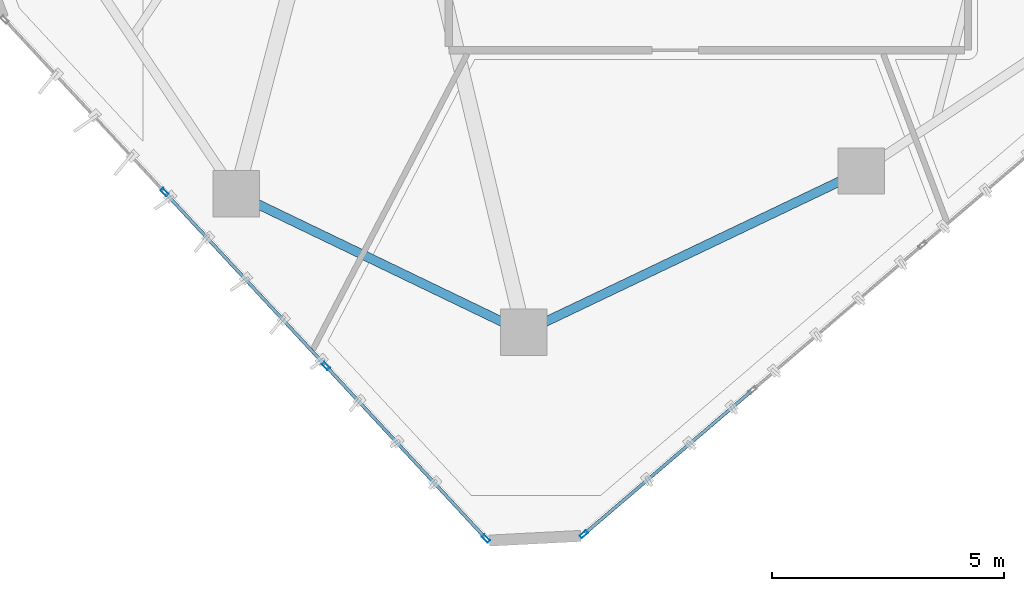
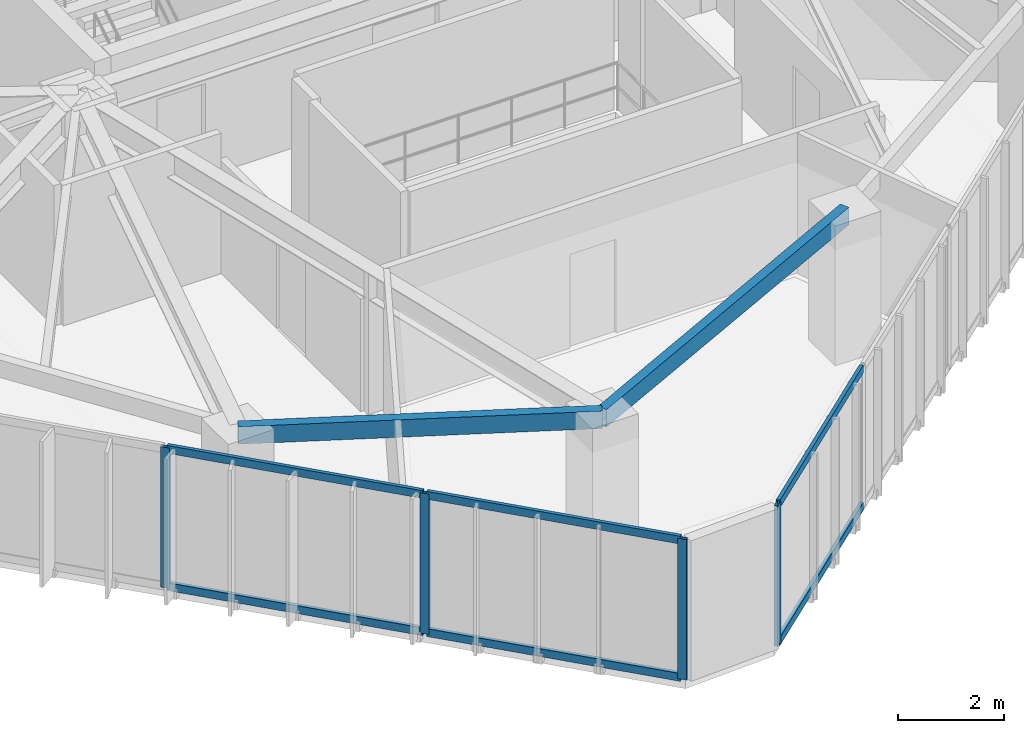
# One storey, part 2 of 20: 10 members, 2 beams, 2 elements without a shape of their own.
"""IFC4 building model written with IfcOpenShell, lengths in metres."""

from ifc_helpers import new_model, si_unit, direction, frame, origin, origin_2d, place, context, subcontext, project, spatial, hollow_rectangle, extrude, source, transform, mapped, material, layer, layer_set, material_profile, profile_set, type_object, type_shapes, element, aggregate, save


model = new_model("IFC4")

# Units and contexts
model_context = context("Model", 3, precision=1e-05, world=origin(), true_north=direction((0.0, 1.0)))
body_context = subcontext(model_context, "Body", "Model", "MODEL_VIEW")
ifc_project = project(units=[si_unit("LENGTHUNIT", "METRE"), si_unit("AREAUNIT", "SQUARE_METRE"), si_unit("VOLUMEUNIT", "CUBIC_METRE"), si_unit("PLANEANGLEUNIT", "RADIAN"), si_unit("MASSUNIT", "GRAM", prefix="KILO")], contexts=[model_context])

# Site, building, storey
site_placement = place(None, origin())
site = spatial("IfcSite", under=ifc_project, at=site_placement, CompositionType="ELEMENT")
building_placement = place(site_placement, origin())
building = spatial("IfcBuilding", under=site, at=building_placement, Name="Talar Marvaseh", CompositionType="ELEMENT")
storey_placement = place(building_placement, frame((0.0, 0.0, 211.699951171875)))
storey = spatial("IfcBuildingStorey", under=building, at=storey_placement, Name="L55", CompositionType="ELEMENT", Elevation=211.699951171875)

# Beams
ifc_material_1 = material(Name="Steel S355", Category="steel")
ifc_material_profile_1 = material_profile(ifc_material_1, hollow_rectangle(XDim=0.199951171875, YDim=0.39990234375, WallThickness=0.013916015625, at=origin_2d()), Name="RHS400x200x14")
ifc_profile_set_1 = profile_set([ifc_material_profile_1], Name="Steel S355")
beam_type = type_object("IfcBeamType", Name="Zone 3 Perimeter Spandrel Beam RHS400x200x14", PredefinedType="SPANDREL", material=ifc_profile_set_1)
beam_1_placement = place(storey_placement, frame((29.299072265625, 14.993896484375, 3.030029296875), z_axis=(-0.902562267408, -0.430559349511, 0.0), x_axis=(0.430559349511, -0.902562267408, 0.0)))
element("IfcBeam", 1, at=beam_1_placement, inside=storey, type_object=beam_type, Name="L55 Zone 3 Perimeter Spandrel Beam RHS400x200x14", PredefinedType="SPANDREL", context=body_context, shape_type="SweptSolid", body=[
    extrude(hollow_rectangle(XDim=0.199951171875, YDim=0.39990234375, WallThickness=0.013916015625, at=origin_2d()), origin(), (0.0, 0.0, 1.0), 8.070556640625),
])
beam_2_placement = place(storey_placement, frame((22.014892578125, 11.51904296875, 3.030029296875), z_axis=(-0.901071562993, 0.433670425975, 0.0), x_axis=(-0.433670425975, -0.901071562993, 0.0)))
element("IfcBeam", 2, at=beam_2_placement, inside=storey, type_object=beam_type, Name="L55 Zone 3 Perimeter Spandrel Beam RHS400x200x14", PredefinedType="SPANDREL", context=body_context, shape_type="SweptSolid", body=[
    extrude(hollow_rectangle(XDim=0.199951171875, YDim=0.39990234375, WallThickness=0.013916015625, at=origin_2d()), origin(), (0.0, 0.0, 1.0), 6.8759765625),
])

# Curtain wall, members
ifc_material_2 = material(Name="Architectural Aluminium", Category="aluminium")
ifc_layer = layer(ifc_material_2, 0.18994140625)
ifc_layer_set = layer_set([ifc_layer], Name="Architectural Aluminium")
curtain_wall_type = type_object("IfcCurtainWallType", Name="Unitised Solar Atelier Curtain Wall Z3", PredefinedType="NOTDEFINED", material=ifc_layer_set)
curtain_wall_1_placement = place(storey_placement, origin())
curtain_wall_1 = element("IfcCurtainWall", 3, at=curtain_wall_1_placement, inside=storey, type_object=curtain_wall_type, Name="L55 Unitised Solar Atelier Curtain Wall Z3", PredefinedType="NOTDEFINED")
ifc_material_profile_2 = material_profile(ifc_material_2, hollow_rectangle(XDim=0.074951171875, YDim=0.179931640625, WallThickness=0.0048828125, at=origin_2d()), Name="RHS180x75x5")
ifc_profile_set_2 = profile_set([ifc_material_profile_2], Name="Architectural Aluminium")
member_type_1 = type_object("IfcMemberType", Name="Unitised Curtain Wall Standard Mullion RHS180x75x5", PredefinedType="MULLION", material=ifc_profile_set_2)
shared_shape_1 = source(origin(), body_context, "Body", "SweptSolid", [
    extrude(hollow_rectangle(XDim=0.074951171875, YDim=0.179931640625, WallThickness=0.0048828125, at=origin_2d()), origin(), (0.0, 0.0, 1.0), 3.22998046875),
])
type_shapes(member_type_1, [shared_shape_1])
member_1_placement = place(storey_placement, frame((21.200927734375, 7.069580078125, 0.0), z_axis=(0.0, 0.0, 1.0), x_axis=(-0.733183227185, -0.680031142944, 0.0)))
member_1 = element("IfcMember", 4, at=member_1_placement, type_object=member_type_1, Name="CW-Z3 mullion 1", PredefinedType="MULLION", context=body_context, shape_type="MappedRepresentation", body=[
    mapped(shared_shape_1, transform((0.0, 0.0, 0.0), x_axis=(1.0, 0.0, 0.0), y_axis=(0.0, 1.0, 0.0), z_axis=(0.0, 0.0, 1.0), scale=1.0)),
])
member_2_placement = place(storey_placement, frame((17.74951171875, 10.791015625, 0.0), z_axis=(0.0, 0.0, 1.0), x_axis=(-0.733183227185, -0.680031142944, 0.0)))
member_2 = element("IfcMember", 5, at=member_2_placement, type_object=member_type_1, Name="CW-Z3 mullion 2", PredefinedType="MULLION", context=body_context, shape_type="MappedRepresentation", body=[
    mapped(shared_shape_1, transform((0.0, 0.0, 0.0), x_axis=(1.0, 0.0, 0.0), y_axis=(0.0, 1.0, 0.0), z_axis=(0.0, 0.0, 1.0), scale=1.0)),
])
member_3_placement = place(storey_placement, frame((14.2724609375, 14.539794921875, 0.0), z_axis=(0.0, 0.0, 1.0), x_axis=(-0.733183227185, -0.680031142944, 0.0)))
member_3 = element("IfcMember", 6, at=member_3_placement, type_object=member_type_1, Name="CW-Z3 mullion 3", PredefinedType="MULLION", context=body_context, shape_type="MappedRepresentation", body=[
    mapped(shared_shape_1, transform((0.0, 0.0, 0.0), x_axis=(1.0, 0.0, 0.0), y_axis=(0.0, 1.0, 0.0), z_axis=(0.0, 0.0, 1.0), scale=1.0)),
])

# Curtain wall, member
curtain_wall_2_placement = place(storey_placement, origin())
curtain_wall_2 = element("IfcCurtainWall", 7, at=curtain_wall_2_placement, inside=storey, type_object=curtain_wall_type, Name="L55 Unitised Solar Atelier Curtain Wall Z3", PredefinedType="NOTDEFINED")
member_4_placement = place(storey_placement, frame((23.313232421875, 7.162841796875, 0.0), z_axis=(0.0, 0.0, 1.0), x_axis=(0.649564719149, -0.760306303826, 0.0)))
member_4 = element("IfcMember", 8, at=member_4_placement, type_object=member_type_1, Name="CW-Z3 mullion 5", PredefinedType="MULLION", context=body_context, shape_type="MappedRepresentation", body=[
    mapped(shared_shape_1, transform((0.0, 0.0, 0.0), x_axis=(1.0, 0.0, 0.0), y_axis=(0.0, 1.0, 0.0), z_axis=(0.0, 0.0, 1.0), scale=1.0)),
])

# Member
ifc_material_profile_3 = material_profile(ifc_material_2, hollow_rectangle(XDim=0.074951171875, YDim=0.179931640625, WallThickness=0.0048828125, at=origin_2d()), Name="RHS180x75x5")
ifc_profile_set_3 = profile_set([ifc_material_profile_3], Name="Architectural Aluminium")
member_type_2 = type_object("IfcMemberType", Name="Unitised Curtain Wall Transom RHS180x75x5", PredefinedType="USERDEFINED", material=ifc_profile_set_3)
shared_shape_2 = source(origin(), body_context, "Body", "SweptSolid", [
    extrude(hollow_rectangle(XDim=0.074951171875, YDim=0.179931640625, WallThickness=0.0048828125, at=origin_2d()), origin(), (0.0, 0.0, 1.0), 5.0380859375),
])
member_5_placement = place(storey_placement, frame((17.723876953125, 10.818359375, 0.03759765625), z_axis=(-0.680027200388, 0.733186883907, 0.0), x_axis=(-0.733186883907, -0.680027200388, 0.0)))
member_5 = element("IfcMember", 9, at=member_5_placement, type_object=member_type_2, Name="CW-Z3 transom 2.1", ObjectType="TRANSOM", PredefinedType="USERDEFINED", context=body_context, shape_type="MappedRepresentation", body=[
    mapped(shared_shape_2, transform((0.0, 0.0, 0.0), x_axis=(1.0, 0.0, 0.0), y_axis=(0.0, 1.0, 0.0), z_axis=(0.0, 0.0, 1.0), scale=1.0)),
])

member_6_placement = place(storey_placement, frame((17.723876953125, 10.818359375, 3.192626953125), z_axis=(-0.680027200388, 0.733186883907, 0.0), x_axis=(-0.733186883907, -0.680027200388, 0.0)))
member_6 = element("IfcMember", 10, at=member_6_placement, type_object=member_type_2, Name="CW-Z3 transom 2.2", ObjectType="TRANSOM", PredefinedType="USERDEFINED", context=body_context, shape_type="MappedRepresentation", body=[
    mapped(shared_shape_2, transform((0.0, 0.0, 0.0), x_axis=(1.0, 0.0, 0.0), y_axis=(0.0, 1.0, 0.0), z_axis=(0.0, 0.0, 1.0), scale=1.0)),
])

shared_shape_3 = source(origin(), body_context, "Body", "SweptSolid", [
    extrude(hollow_rectangle(XDim=0.074951171875, YDim=0.179931640625, WallThickness=0.0048828125, at=origin_2d()), origin(), (0.0, 0.0, 1.0), 5.00048828125),
])
member_7_placement = place(storey_placement, frame((21.17529296875, 7.09716796875, 0.03759765625), z_axis=(-0.680022133308, 0.733191583565, 0.0), x_axis=(-0.733191583565, -0.680022133308, 0.0)))
member_7 = element("IfcMember", 11, at=member_7_placement, type_object=member_type_2, Name="CW-Z3 transom 1.1", ObjectType="TRANSOM", PredefinedType="USERDEFINED", context=body_context, shape_type="MappedRepresentation", body=[
    mapped(shared_shape_3, transform((0.0, 0.0, 0.0), x_axis=(1.0, 0.0, 0.0), y_axis=(0.0, 1.0, 0.0), z_axis=(0.0, 0.0, 1.0), scale=1.0)),
])

member_8_placement = place(storey_placement, frame((21.17529296875, 7.09716796875, 3.192626953125), z_axis=(-0.680022133308, 0.733191583565, 0.0), x_axis=(-0.733191583565, -0.680022133308, 0.0)))
member_8 = element("IfcMember", 12, at=member_8_placement, type_object=member_type_2, Name="CW-Z3 transom 1.2", ObjectType="TRANSOM", PredefinedType="USERDEFINED", context=body_context, shape_type="MappedRepresentation", body=[
    mapped(shared_shape_3, transform((0.0, 0.0, 0.0), x_axis=(1.0, 0.0, 0.0), y_axis=(0.0, 1.0, 0.0), z_axis=(0.0, 0.0, 1.0), scale=1.0)),
])

aggregate(curtain_wall_1, [member_1, member_2, member_3, member_7, member_8, member_5, member_6])

shared_shape_4 = source(origin(), body_context, "Body", "SweptSolid", [
    extrude(hollow_rectangle(XDim=0.074951171875, YDim=0.179931640625, WallThickness=0.0048828125, at=origin_2d()), origin(), (0.0, 0.0, 1.0), 4.709716796875),
])
type_shapes(member_type_2, [shared_shape_2, shared_shape_3, shared_shape_4])
member_9_placement = place(storey_placement, frame((26.92236328125, 10.246337890625, 0.03759765625), z_axis=(-0.760298473161, -0.649573884719, 0.0), x_axis=(0.649573884719, -0.760298473161, 0.0)))
member_9 = element("IfcMember", 13, at=member_9_placement, type_object=member_type_2, Name="CW-Z3 transom 4.1", ObjectType="TRANSOM", PredefinedType="USERDEFINED", context=body_context, shape_type="MappedRepresentation", body=[
    mapped(shared_shape_4, transform((0.0, 0.0, 0.0), x_axis=(1.0, 0.0, 0.0), y_axis=(0.0, 1.0, 0.0), z_axis=(0.0, 0.0, 1.0), scale=1.0)),
])

member_10_placement = place(storey_placement, frame((26.92236328125, 10.246337890625, 3.192626953125), z_axis=(-0.760298473161, -0.649573884719, 0.0), x_axis=(0.649573884719, -0.760298473161, 0.0)))
member_10 = element("IfcMember", 14, at=member_10_placement, type_object=member_type_2, Name="CW-Z3 transom 4.2", ObjectType="TRANSOM", PredefinedType="USERDEFINED", context=body_context, shape_type="MappedRepresentation", body=[
    mapped(shared_shape_4, transform((0.0, 0.0, 0.0), x_axis=(1.0, 0.0, 0.0), y_axis=(0.0, 1.0, 0.0), z_axis=(0.0, 0.0, 1.0), scale=1.0)),
])

aggregate(curtain_wall_2, [member_4, member_9, member_10])

save(model, "model.ifc")
